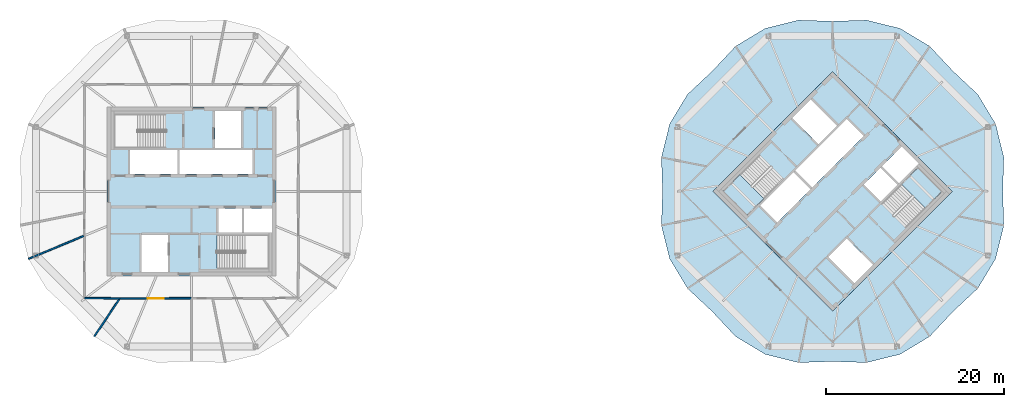
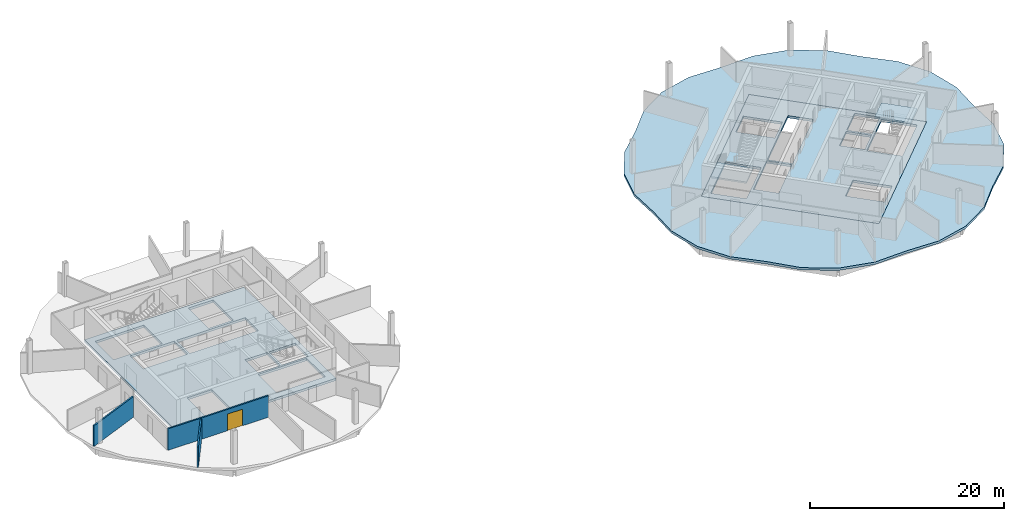
# One storey, part 4 of 10: 5 slabs, 4 walls, 1 door, 1 opening, 2 elements without a shape of their own.
"""IFC4 building model written with IfcOpenShell, lengths in metres."""

from ifc_helpers import new_model, si_unit, direction, frame, frame_2d, origin, place, context, subcontext, project, spatial, polyline, rectangle, outline, extrude, material, layer, layer_set, type_object, element, fill, aggregate, save


model = new_model("IFC4")

# Units and contexts
model_context = context("Model", 3, precision=1e-05, world=origin(), true_north=direction((0.0, 1.0)))
body_context = subcontext(model_context, "Body", "Model", "MODEL_VIEW")
ifc_project = project(units=[si_unit("LENGTHUNIT", "METRE"), si_unit("AREAUNIT", "SQUARE_METRE"), si_unit("VOLUMEUNIT", "CUBIC_METRE"), si_unit("PLANEANGLEUNIT", "RADIAN"), si_unit("MASSUNIT", "GRAM", prefix="KILO")], contexts=[model_context])

# Site, building, storey
site_placement = place(None, origin())
site = spatial("IfcSite", under=ifc_project, at=site_placement, CompositionType="ELEMENT")
building_placement = place(site_placement, origin())
building = spatial("IfcBuilding", under=site, at=building_placement, Name="Ogive Gate Towers", CompositionType="ELEMENT")
storey_placement = place(building_placement, frame((0.0, 0.0, 260.39990234375)))
storey = spatial("IfcBuildingStorey", under=building, at=storey_placement, Name="L61", CompositionType="ELEMENT", Elevation=260.39990234375)

# Slabs
ifc_material_1 = material(Name="Concrete C40/50", Category="concrete")
ifc_layer_1 = layer(ifc_material_1, 0.300048828125)
ifc_layer_set_1 = layer_set([ifc_layer_1], Name="Core slab C40/50 300 mm")
slab_type_1 = type_object("IfcSlabType", Name="Core slab C40/50 300 mm", PredefinedType="FLOOR", material=ifc_layer_set_1)
slab_1_placement = place(storey_placement, frame((0.0, 0.0, -0.2998046875)))
element("IfcSlab", 1, at=slab_1_placement, inside=storey, type_object=slab_type_1, Name="T1 L61 core slab", PredefinedType="FLOOR", context=body_context, shape_type="SweptSolid", body=[
    extrude(outline(polyline([(-45.5, -9.5), (-45.5, 9.5), (-26.5, 9.5), (-26.5, -9.5), (-45.5, -9.5)]), holes=[polyline([(-42.875, 1.925048828125), (-37.574951171875, 1.925048828125), (-37.574951171875, 4.625), (-42.875, 4.625), (-42.875, 1.925048828125)]), polyline([(-37.324951171875, 4.625), (-37.324951171875, 1.925048828125), (-29.125, 1.925048828125), (-29.125, 4.625), (-37.324951171875, 4.625)]), polyline([(-30.324951171875, -1.925048828125), (-32.97509765625, -1.925048828125), (-32.97509765625, -4.625), (-30.324951171875, -4.625), (-30.324951171875, -1.925048828125)]), polyline([(-26.949951171875, -4.625), (-26.949951171875, -1.925048828125), (-30.074951171875, -1.925048828125), (-30.074951171875, -4.625), (-26.949951171875, -4.625)]), polyline([(-33.375, 4.875), (-30.425048828125, 4.875), (-30.425048828125, 9.050048828125), (-33.375, 9.050048828125), (-33.375, 4.875)]), polyline([(-41.574951171875, -4.875), (-41.574951171875, -9.050048828125), (-38.625, -9.050048828125), (-38.625, -4.875), (-41.574951171875, -4.875)]), polyline([(-44.699951171875, 4.875), (-38.885009765625, 4.875), (-38.885009765625, 8.699951171875), (-44.699951171875, 8.699951171875), (-44.699951171875, 4.875)]), polyline([(-27.300048828125, -8.699951171875), (-27.300048828125, -4.875), (-33.114990234375, -4.875), (-33.114990234375, -8.699951171875), (-27.300048828125, -8.699951171875)])]), origin(), (0.0, 0.0, 1.0), 0.2998046875),
])
slab_2_placement = place(storey_placement, frame((0.0, 0.0, -0.2998046875)))
element("IfcSlab", 2, at=slab_2_placement, inside=storey, type_object=slab_type_1, Name="T2 L61 core slab", PredefinedType="FLOOR", context=body_context, shape_type="SweptSolid", body=[
    extrude(outline(polyline([(36.0, -13.43505859375), (22.56494140625, 0.0), (36.0, 13.43505859375), (49.43505859375, 0.0), (36.0, -13.43505859375)]), holes=[polyline([(29.777587890625, -3.500244140625), (33.525146484375, 0.24755859375), (31.615966796875, 2.15673828125), (27.868408203125, -1.591064453125), (29.777587890625, -3.500244140625)]), polyline([(31.792724609375, 2.33349609375), (33.701904296875, 0.42431640625), (39.500244140625, 6.222412109375), (37.591064453125, 8.131591796875), (31.792724609375, 2.33349609375)]), polyline([(41.3740234375, 2.651611328125), (39.500244140625, 0.77783203125), (41.409423828125, -1.13134765625), (43.283203125, 0.742431640625), (41.3740234375, 2.651611328125)]), polyline([(45.669677734375, 3.12890625), (43.760498046875, 5.0380859375), (41.55078125, 2.828369140625), (43.4599609375, 0.919189453125), (45.669677734375, 3.12890625)]), polyline([(34.408935546875, 5.30322265625), (36.4951171875, 7.389404296875), (33.542724609375, 10.34130859375), (31.456787109375, 8.255615234375), (34.408935546875, 5.30322265625)]), polyline([(35.5048828125, -7.389404296875), (38.457275390625, -10.34130859375), (40.543212890625, -8.255615234375), (37.591064453125, -5.30322265625), (35.5048828125, -7.389404296875)]), polyline([(26.40087890625, -2.70458984375), (30.512939453125, 1.406982421875), (27.80810546875, 4.11181640625), (23.6962890625, 0.0), (26.40087890625, -2.70458984375)]), polyline([(48.3037109375, 0.0), (45.59912109375, 2.70458984375), (41.487060546875, -1.406982421875), (44.19189453125, -4.11181640625), (48.3037109375, 0.0)])]), origin(), (0.0, 0.0, 1.0), 0.2998046875),
])
ifc_material_2 = material(Name="Concrete C35/45", Category="concrete")
ifc_layer_2 = layer(ifc_material_2, 0.300048828125)
ifc_layer_set_2 = layer_set([ifc_layer_2], Name="Floor slab 300")
slab_type_2 = type_object("IfcSlabType", Name="Floor slab 300", PredefinedType="FLOOR", material=ifc_layer_set_2)
slab_3_placement = place(storey_placement, frame((0.0, 0.0, -0.2998046875)))
element("IfcSlab", 3, at=slab_3_placement, inside=storey, type_object=slab_type_2, Name="T2/L61/SSL001", PredefinedType="FLOOR", context=body_context, shape_type="SweptSolid", body=[
    extrude(outline(polyline([(55.223388671875, -3.82373046875), (55.10009765625, 0.0), (55.223388671875, 3.82373046875), (54.292724609375, 7.5771484375), (52.296875, 10.88916015625), (49.505859375, 13.505859375), (46.88916015625, 16.296875), (43.5771484375, 18.292724609375), (39.82373046875, 19.223388671875), (36.0, 19.10009765625), (32.17626953125, 19.223388671875), (28.4228515625, 18.292724609375), (25.11083984375, 16.296875), (22.494140625, 13.505859375), (19.703125, 10.88916015625), (17.707275390625, 7.5771484375), (16.776611328125, 3.82373046875), (16.89990234375, 0.0), (16.776611328125, -3.82373046875), (17.707275390625, -7.5771484375), (19.703125, -10.88916015625), (22.494140625, -13.505859375), (25.11083984375, -16.296875), (28.4228515625, -18.292724609375), (32.17626953125, -19.223388671875), (36.0, -19.10009765625), (39.82373046875, -19.223388671875), (43.5771484375, -18.292724609375), (46.88916015625, -16.296875), (49.505859375, -13.505859375), (52.296875, -10.88916015625), (54.292724609375, -7.5771484375), (55.223388671875, -3.82373046875)]), holes=[polyline([(49.43505859375, 0.0), (36.0, -13.43505859375), (22.56494140625, 0.0), (36.0, 13.43505859375), (49.43505859375, 0.0)])]), origin(), (0.0, 0.0, 1.0), 0.2998046875),
])

# Stair, slab
stair_type = type_object("IfcStairType", Name="Escape stair 1840 wide", PredefinedType="HALF_TURN_STAIR", material=ifc_material_1)
stair_1_placement = place(storey_placement, origin())
stair_1 = element("IfcStair", 4, at=stair_1_placement, inside=storey, type_object=stair_type, Name="L61 Escape stair 1", PredefinedType="HALF_TURN_STAIR")
ifc_layer_3 = layer(ifc_material_1, 0.199951171875)
ifc_layer_set_3 = layer_set([ifc_layer_3], Name="Stair landing 200 mm")
slab_type_3 = type_object("IfcSlabType", Name="Stair landing 200 mm", PredefinedType="LANDING", material=ifc_layer_set_3)
slab_4_placement = place(storey_placement, frame((0.0, 0.0, 1.900146484375)))
slab_4 = element("IfcSlab", 5, at=slab_4_placement, type_object=slab_type_3, Name="ST1 landing 1", PredefinedType="LANDING", context=body_context, shape_type="SweptSolid", body=[
    extrude(outline(polyline([(25.586181640625, 1.8896484375), (23.6962890625, 0.0), (26.401123046875, -2.70458984375), (28.290771484375, -0.81494140625), (25.586181640625, 1.8896484375)])), origin(), (0.0, 0.0, 1.0), 0.199951171875),
])
aggregate(stair_1, [slab_4])

stair_2_placement = place(storey_placement, origin())
stair_2 = element("IfcStair", 6, at=stair_2_placement, inside=storey, type_object=stair_type, Name="L61 Escape stair 2", PredefinedType="HALF_TURN_STAIR")
slab_5_placement = place(storey_placement, frame((0.0, 0.0, 1.900146484375)))
slab_5 = element("IfcSlab", 7, at=slab_5_placement, type_object=slab_type_3, Name="ST2 landing 1", PredefinedType="LANDING", context=body_context, shape_type="SweptSolid", body=[
    extrude(outline(polyline([(46.413818359375, -1.8896484375), (48.3037109375, 0.0), (45.598876953125, 2.70458984375), (43.709228515625, 0.81494140625), (46.413818359375, -1.8896484375)])), origin(), (0.0, 0.0, 1.0), 0.199951171875),
])
aggregate(stair_2, [slab_5])

# Walls
ifc_material_3 = material(Name="Gypsum board acoustic partition")
ifc_layer_4 = layer(ifc_material_3, 0.175048828125)
ifc_layer_set_4 = layer_set([ifc_layer_4], Name="Acoustic partition 175")
wall_type = type_object("IfcWallType", Name="Acoustic partition 175", PredefinedType="PARTITIONING", material=ifc_layer_set_4)
wall_1_placement = place(storey_placement, frame((-54.29296875, -7.5771484375, 0.0), z_axis=(0.0, 0.0, 1.0), x_axis=(0.923882053966, 0.382677344977, 0.0)))
element("IfcWall", 8, at=wall_1_placement, inside=storey, type_object=wall_type, Name="Partition T1-L61-008", PredefinedType="PARTITIONING", context=body_context, shape_type="SweptSolid", body=[
    extrude(rectangle(XDim=6.711669921875, YDim=0.175048828125, at=frame_2d((3.35595703125, 0.0))), origin(), (0.0, 0.0, 1.0), 2.60009765625),
])
wall_2_placement = place(storey_placement, frame((-46.896484375, -16.291259765625, 0.0), z_axis=(0.0, 0.0, 1.0), x_axis=(0.555968529854, 0.831203340833, 0.0)))
element("IfcWall", 9, at=wall_2_placement, inside=storey, type_object=wall_type, Name="Partition T1-L61-009", PredefinedType="PARTITIONING", context=body_context, shape_type="SweptSolid", body=[
    extrude(rectangle(XDim=5.061279296875, YDim=0.175048828125, at=frame_2d((2.53076171875, 0.0))), origin(), (0.0, 0.0, 1.0), 2.60009765625),
])
wall_3_placement = place(storey_placement, frame((-47.97998046875, -11.97998046875, 0.0), z_axis=(0.0, 0.0, 1.0), x_axis=(0.999968151812, -0.007980937424, 0.0)))
element("IfcWall", 10, at=wall_3_placement, inside=storey, type_object=wall_type, Name="Partition T1-L61-029", PredefinedType="PARTITIONING", context=body_context, shape_type="SweptSolid", body=[
    extrude(rectangle(XDim=3.9462890625, YDim=0.175048828125, at=frame_2d((1.97314453125, 0.0))), origin(), (0.0, 0.0, 1.0), 2.7001953125),
])

# Wall, opening, door
wall_4_placement = place(storey_placement, frame((-44.033935546875, -12.011474609375, 0.0), z_axis=(0.0, 0.0, 1.0), x_axis=(0.999998980027, 0.001428266085, 0.0)))
wall_4 = element("IfcWall", 11, at=wall_4_placement, inside=storey, type_object=wall_type, Name="Partition T1-L61-030", PredefinedType="PARTITIONING", context=body_context, shape_type="SweptSolid", body=[
    extrude(rectangle(XDim=8.033935546875, YDim=0.175048828125, at=frame_2d((4.01708984375, 0.0))), origin(), (0.0, 0.0, 1.0), 2.7001953125),
])
opening_placement = place(wall_4_placement, frame((3.116943359375, 0.0, 0.0)))
opening = element("IfcOpeningElement", 12, at=opening_placement, cuts=wall_4, Name="Opening T1-L61-D13", PredefinedType="OPENING", context=body_context, shape_type="SweptSolid", body=[
    extrude(rectangle(XDim=1.800048828125, YDim=2.10009765625, at=frame_2d((0.89990234375, 1.050048828125))), frame((0.0, 0.09765625, 0.0), z_axis=(0.0, -1.0, 0.0), x_axis=(1.0, 0.0, 0.0)), (0.0, 0.0, 1.0), 0.195068359375),
])
ifc_material_4 = material(Name="Timber door", Category="wood")
door_type = type_object("IfcDoorType", Name="Door pair 1800", OperationType="NOTDEFINED", PredefinedType="DOOR", material=ifc_material_4)
door_placement = place(opening_placement, origin())
door = element("IfcDoor", 13, at=door_placement, inside=storey, type_object=door_type, Name="Door T1-L61-D13", OperationType="DOUBLE_DOOR_DOUBLE_SWING", OverallHeight=2.10009765625, OverallWidth=1.800048828125, PredefinedType="DOOR", context=body_context, shape_type="SweptSolid", body=[
    extrude(rectangle(XDim=1.800048828125, YDim=2.10009765625, at=frame_2d((0.89990234375, 1.050048828125))), frame((0.0, 0.02490234375, 0.0), z_axis=(0.0, -1.0, 0.0), x_axis=(1.0, 0.0, 0.0)), (0.0, 0.0, 1.0), 0.050048828125),
])
fill(opening, door)

save(model, "model.ifc")
